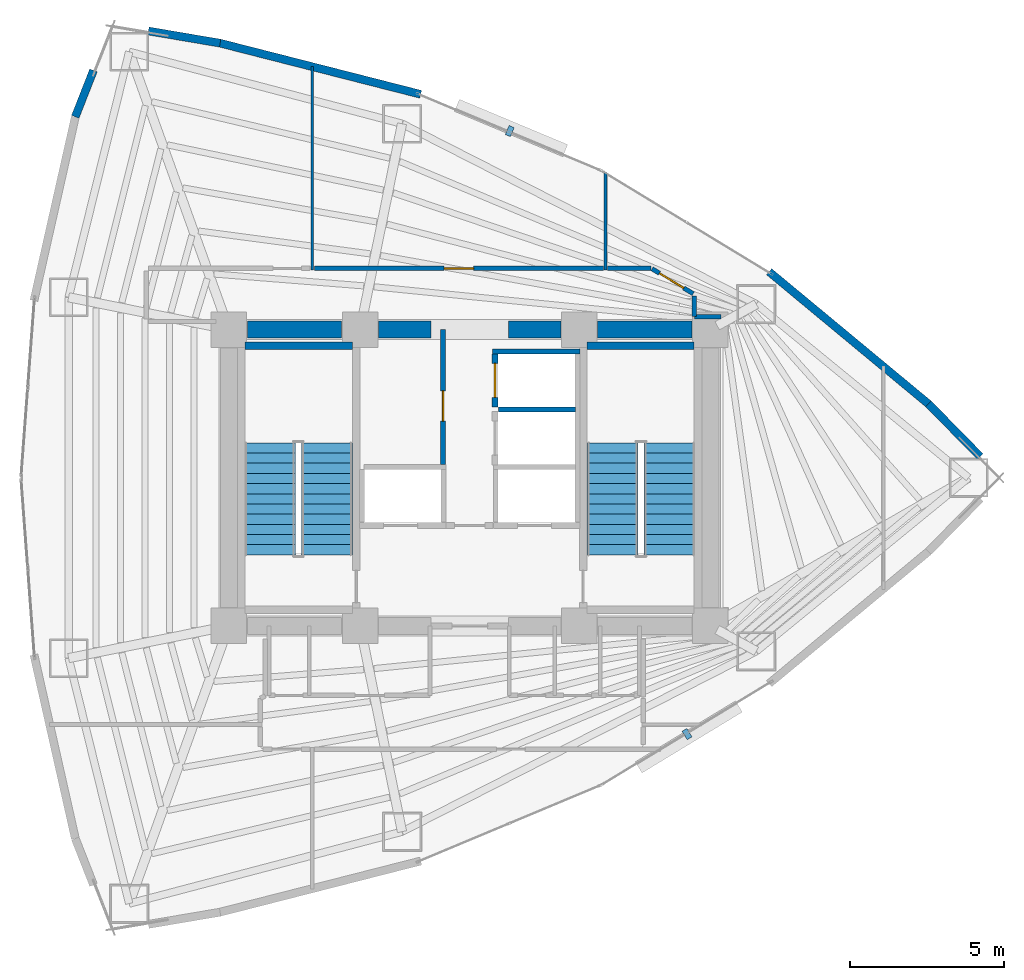
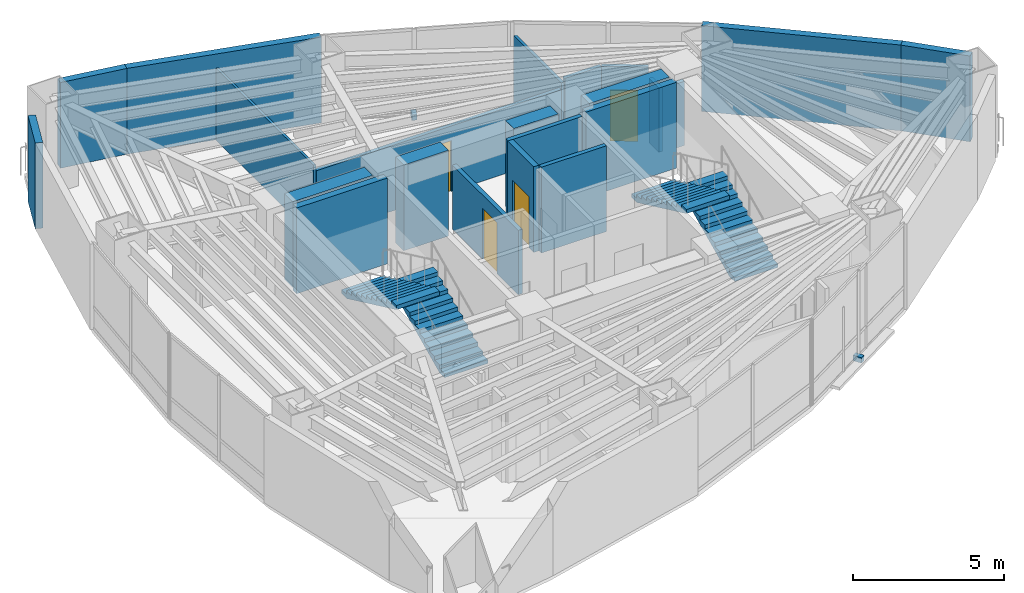
# One storey, part 16 of 18: 22 walls, 4 doors, 4 stair flights, 2 discrete accessories, 4 openings, 2 elements without a shape of their own.
"""IFC4 building model written with IfcOpenShell, lengths in metres."""

from ifc_helpers import new_model, si_unit, direction, frame, frame_2d, origin, origin_2d, place, context, subcontext, project, spatial, polyline, rectangle, outline, extrude, material, layer, layer_set, type_object, element, fill, aggregate, save


model = new_model("IFC4")

# Units and contexts
model_context = context("Model", 3, precision=1e-05, world=origin(), true_north=direction((0.0, 1.0)))
body_context = subcontext(model_context, "Body", "Model", "MODEL_VIEW")
ifc_project = project(units=[si_unit("LENGTHUNIT", "METRE"), si_unit("AREAUNIT", "SQUARE_METRE"), si_unit("VOLUMEUNIT", "CUBIC_METRE"), si_unit("PLANEANGLEUNIT", "RADIAN"), si_unit("MASSUNIT", "GRAM", prefix="KILO")], contexts=[model_context])

# Site, building, storey
site_placement = place(None, origin())
site = spatial("IfcSite", under=ifc_project, at=site_placement, CompositionType="ELEMENT")
building_placement = place(site_placement, origin())
building = spatial("IfcBuilding", under=site, at=building_placement, Name="Menara Vayukalpa", CompositionType="ELEMENT")
storey_placement = place(building_placement, frame((0.0, 0.0, 126.300048828125)))
storey = spatial("IfcBuildingStorey", under=building, at=storey_placement, Name="L31", CompositionType="ELEMENT", Elevation=126.300048828125)

# Walls
ifc_material_1 = material(Name="Concrete C60/75", Category="concrete")
ifc_layer_1 = layer(ifc_material_1, 0.550048828125)
ifc_layer_set_1 = layer_set([ifc_layer_1], Name="Concrete C60/75")
wall_type_1 = type_object("IfcWallType", Name="WAL-CW550", PredefinedType="SHEAR", material=ifc_layer_set_1)
wall_1_placement = place(storey_placement, frame((18.39501953125, 26.800048828125, 0.0), z_axis=(0.0, 0.0, 1.0), x_axis=(1.0, 0.0, 0.0)))
element("IfcWall", 1, at=wall_1_placement, inside=storey, type_object=wall_type_1, Name="L31 Buttressed Core Shear Wall CWN1", PredefinedType="SHEAR", context=body_context, shape_type="SweptSolid", body=[
    extrude(rectangle(XDim=3.06005859375, YDim=0.550048828125, at=frame_2d((1.530029296875, 0.0))), origin(), (0.0, 0.0, 1.0), 3.469970703125),
])
wall_2_placement = place(storey_placement, frame((22.64501953125, 26.800048828125, 0.0), z_axis=(0.0, 0.0, 1.0), x_axis=(1.0, 0.0, 0.0)))
element("IfcWall", 2, at=wall_2_placement, inside=storey, type_object=wall_type_1, Name="L31 Buttressed Core Shear Wall CWN2", PredefinedType="SHEAR", context=body_context, shape_type="SweptSolid", body=[
    extrude(rectangle(XDim=1.705078125, YDim=0.550048828125, at=frame_2d((0.8525390625, 0.0))), origin(), (0.0, 0.0, 1.0), 3.469970703125),
])
wall_3_placement = place(storey_placement, frame((26.85009765625, 26.800048828125, 0.0), z_axis=(0.0, 0.0, 1.0), x_axis=(1.0, 0.0, 0.0)))
element("IfcWall", 3, at=wall_3_placement, inside=storey, type_object=wall_type_1, Name="L31 Buttressed Core Shear Wall CWN3", PredefinedType="SHEAR", context=body_context, shape_type="SweptSolid", body=[
    extrude(rectangle(XDim=1.704833984375, YDim=0.550048828125, at=frame_2d((0.8525390625, 0.0))), origin(), (0.0, 0.0, 1.0), 3.469970703125),
])
wall_4_placement = place(storey_placement, frame((29.7451171875, 26.800048828125, 0.0), z_axis=(0.0, 0.0, 1.0), x_axis=(1.0, 0.0, 0.0)))
element("IfcWall", 4, at=wall_4_placement, inside=storey, type_object=wall_type_1, Name="L31 Buttressed Core Shear Wall CWN4", PredefinedType="SHEAR", context=body_context, shape_type="SweptSolid", body=[
    extrude(rectangle(XDim=3.059814453125, YDim=0.550048828125, at=frame_2d((1.52978515625, 0.0))), origin(), (0.0, 0.0, 1.0), 3.469970703125),
])
ifc_material_2 = material(Name="Insulated Precast Concrete C40/50", Category="concrete")
ifc_layer_2 = layer(ifc_material_2, 0.260009765625)
ifc_layer_set_2 = layer_set([ifc_layer_2], Name="Insulated Precast Concrete C40/50")
wall_type_2 = type_object("IfcWallType", Name="WAL-EXT260", PredefinedType="PARTITIONING", material=ifc_layer_set_2)
wall_5_placement = place(storey_placement, frame((40.46337890625, 24.39208984375, 0.0), z_axis=(0.0, 0.0, 1.0), x_axis=(0.700603293449, -0.713550996922, 0.0)))
element("IfcWall", 5, at=wall_5_placement, inside=storey, type_object=wall_type_2, Name="L31 Perimeter Terracotta Pier Wall 02", PredefinedType="PARTITIONING", context=body_context, shape_type="SweptSolid", body=[
    extrude(rectangle(XDim=2.394775390625, YDim=0.260009765625, at=frame_2d((1.197265625, 0.0))), origin(), (0.0, 0.0, 1.0), 3.469970703125),
])
wall_6_placement = place(storey_placement, frame((35.30126953125, 28.672119140625, 0.0), z_axis=(0.0, 0.0, 1.0), x_axis=(0.76975316947, -0.638341646841, 0.0)))
element("IfcWall", 6, at=wall_6_placement, inside=storey, type_object=wall_type_2, Name="L31 Perimeter Terracotta Pier Wall 03", PredefinedType="PARTITIONING", context=body_context, shape_type="SweptSolid", body=[
    extrude(rectangle(XDim=6.718017578125, YDim=0.260009765625, at=frame_2d((3.35888671875, 0.0))), origin(), (0.0, 0.0, 1.0), 3.469970703125),
])
wall_7_placement = place(storey_placement, frame((17.504638671875, 36.08056640625, 0.0), z_axis=(0.0, 0.0, 1.0), x_axis=(0.968981437296, -0.247133514876, 0.0)))
element("IfcWall", 7, at=wall_7_placement, inside=storey, type_object=wall_type_2, Name="L31 Perimeter Terracotta Pier Wall 06", PredefinedType="PARTITIONING", context=body_context, shape_type="SweptSolid", body=[
    extrude(rectangle(XDim=6.717529296875, YDim=0.260009765625, at=frame_2d((3.35888671875, 0.0))), origin(), (0.0, 0.0, 1.0), 3.469970703125),
])
wall_8_placement = place(storey_placement, frame((15.19287109375, 36.472412109375, 0.0), z_axis=(0.0, 0.0, 1.0), x_axis=(0.985905269947, -0.167304508875, 0.0)))
element("IfcWall", 8, at=wall_8_placement, inside=storey, type_object=wall_type_2, Name="L31 Perimeter Terracotta Pier Wall 07", PredefinedType="PARTITIONING", context=body_context, shape_type="SweptSolid", body=[
    extrude(rectangle(XDim=2.356689453125, YDim=0.260009765625, at=frame_2d((1.17822265625, 0.0))), origin(), (0.0, 0.0, 1.0), 3.469970703125),
])
wall_9_placement = place(storey_placement, frame((12.822021484375, 33.69140625, 0.0), z_axis=(0.0, 0.0, 1.0), x_axis=(0.365488551504, 0.930815835018, 0.0)))
element("IfcWall", 9, at=wall_9_placement, inside=storey, type_object=wall_type_2, Name="L31 Perimeter Terracotta Pier Wall 08", PredefinedType="PARTITIONING", context=body_context, shape_type="SweptSolid", body=[
    extrude(rectangle(XDim=1.61376953125, YDim=0.260009765625, at=frame_2d((0.806884765625, 0.0))), origin(), (0.0, 0.0, 1.0), 3.469970703125),
])
ifc_material_3 = material(Name="Lightweight Concrete Blockwork C16/20", Category="masonry")
ifc_layer_3 = layer(ifc_material_3, 0.159912109375)
ifc_layer_set_3 = layer_set([ifc_layer_3], Name="Lightweight Concrete Blockwork C16/20")
wall_type_3 = type_object("IfcWallType", Name="WAL-FR150", PredefinedType="PARTITIONING", material=ifc_layer_set_3)
wall_10_placement = place(storey_placement, frame((26.530029296875, 24.215087890625, 0.0), z_axis=(0.0, 0.0, 1.0), x_axis=(1.0, 0.0, 0.0)))
element("IfcWall", 10, at=wall_10_placement, inside=storey, type_object=wall_type_3, Name="L31 Interior Partition IW-L31-SHM-E32", PredefinedType="PARTITIONING", context=body_context, shape_type="SweptSolid", body=[
    extrude(rectangle(XDim=2.489990234375, YDim=0.159912109375, at=frame_2d((1.2451171875, 0.0))), origin(), (0.0, 0.0, 1.0), 3.469970703125),
])
wall_11_placement = place(storey_placement, frame((26.340087890625, 26.0849609375, 0.0), z_axis=(0.0, 0.0, 1.0), x_axis=(1.0, 0.0, 0.0)))
element("IfcWall", 11, at=wall_11_placement, inside=storey, type_object=wall_type_3, Name="L31 Interior Partition IW-L31-SHM-E2N", PredefinedType="PARTITIONING", context=body_context, shape_type="SweptSolid", body=[
    extrude(rectangle(XDim=2.829833984375, YDim=0.159912109375, at=frame_2d((1.4150390625, 0.0))), origin(), (0.0, 0.0, 1.0), 3.469970703125),
])

# Wall, opening, door
wall_12_placement = place(storey_placement, frame((24.739990234375, 22.429931640625, 0.0), z_axis=(0.0, 0.0, 1.0), x_axis=(0.0, 1.0, 0.0)))
wall_12 = element("IfcWall", 12, at=wall_12_placement, inside=storey, type_object=wall_type_3, Name="L31 Interior Partition IW-L31-LV7W", PredefinedType="PARTITIONING", context=body_context, shape_type="SweptSolid", body=[
    extrude(rectangle(XDim=4.3701171875, YDim=0.159912109375, at=frame_2d((2.18505859375, 0.0))), origin(), (0.0, 0.0, 1.0), 2.599853515625),
])
opening_1_placement = place(wall_12_placement, frame((1.39990234375, 0.0, 0.0)))
opening_1 = element("IfcOpeningElement", 13, at=opening_1_placement, cuts=wall_12, Name="Opening ID3", PredefinedType="OPENING", context=body_context, shape_type="SweptSolid", body=[
    extrude(rectangle(XDim=0.97998046875, YDim=2.06005859375, at=frame_2d((0.489990234375, 1.030029296875))), frame((0.0, 0.08984375, 0.0), z_axis=(0.0, -1.0, 0.0), x_axis=(1.0, 0.0, 0.0)), (0.0, 0.0, 1.0), 0.179931640625),
])
ifc_material_4 = material(Name="Fire-Rated Powder-Coated Steel Door", Category="steel")
door_type_1 = type_object("IfcDoorType", Name="DR-FD60", OperationType="NOTDEFINED", PredefinedType="DOOR", material=ifc_material_4)
door_1_placement = place(opening_1_placement, origin())
door_1 = element("IfcDoor", 14, at=door_1_placement, inside=storey, type_object=door_type_1, Name="L31 Interior Door DR-L31-LV7W", OperationType="SINGLE_SWING_LEFT", OverallHeight=2.06005859375, OverallWidth=0.97998046875, PredefinedType="DOOR", context=body_context, shape_type="SweptSolid", body=[
    extrude(rectangle(XDim=0.97998046875, YDim=2.06005859375, at=frame_2d((0.489990234375, 1.030029296875))), frame((0.0, 0.02490234375, 0.0), z_axis=(0.0, -1.0, 0.0), x_axis=(1.0, 0.0, 0.0)), (0.0, 0.0, 1.0), 0.050048828125),
])
fill(opening_1, door_1)

ifc_material_5 = material(Name="Lightweight Concrete Blockwork C16/20", Category="masonry")
ifc_layer_4 = layer(ifc_material_5, 0.199951171875)
ifc_layer_set_4 = layer_set([ifc_layer_4], Name="Lightweight Concrete Blockwork C16/20")
wall_type_4 = type_object("IfcWallType", Name="WAL-FR200", PredefinedType="PARTITIONING", material=ifc_layer_set_4)
wall_13_placement = place(storey_placement, frame((26.419921875, 24.2900390625, 0.0), z_axis=(0.0, 0.0, 1.0), x_axis=(0.0, 1.0, 0.0)))
wall_13 = element("IfcWall", 15, at=wall_13_placement, inside=storey, type_object=wall_type_4, Name="L31 Interior Partition IW-L31-SH-E2", PredefinedType="PARTITIONING", context=body_context, shape_type="SweptSolid", body=[
    extrude(rectangle(XDim=1.719970703125, YDim=0.199951171875, at=frame_2d((0.85986328125, 0.0))), origin(), (0.0, 0.0, 1.0), 3.469970703125),
])
opening_2_placement = place(wall_13_placement, frame((0.31005859375, 0.0, 0.0)))
opening_2 = element("IfcOpeningElement", 16, at=opening_2_placement, cuts=wall_13, Name="Opening LD1", PredefinedType="OPENING", context=body_context, shape_type="SweptSolid", body=[
    extrude(rectangle(XDim=1.10009765625, YDim=2.080078125, at=frame_2d((0.550048828125, 1.0400390625))), frame((0.0, 0.10986328125, 0.0), z_axis=(0.0, -1.0, 0.0), x_axis=(1.0, 0.0, 0.0)), (0.0, 0.0, 1.0), 0.219970703125),
])
ifc_material_6 = material(Name="Brushed Stainless Steel 316 Lift Door", Category="steel")
door_type_2 = type_object("IfcDoorType", Name="DR-LD110", OperationType="NOTDEFINED", PredefinedType="DOOR", material=ifc_material_6)
door_2_placement = place(opening_2_placement, origin())
door_2 = element("IfcDoor", 17, at=door_2_placement, inside=storey, type_object=door_type_2, Name="L31 Interior Door DR-L31-LD-E2", OperationType="DOUBLE_DOOR_SLIDING", OverallHeight=2.080078125, OverallWidth=1.10009765625, PredefinedType="DOOR", context=body_context, shape_type="SweptSolid", body=[
    extrude(rectangle(XDim=1.10009765625, YDim=2.080078125, at=frame_2d((0.550048828125, 1.0400390625))), frame((0.0, 0.02490234375, 0.0), z_axis=(0.0, -1.0, 0.0), x_axis=(1.0, 0.0, 0.0)), (0.0, 0.0, 1.0), 0.050048828125),
])
fill(opening_2, door_2)

# Walls
ifc_material_7 = material(Name="Glazed Demountable Office Partition", Category="glass")
ifc_layer_5 = layer(ifc_material_7, 0.094970703125)
ifc_layer_set_5 = layer_set([ifc_layer_5], Name="Glazed Demountable Office Partition")
wall_type_5 = type_object("IfcWallType", Name="WAL-PT100", PredefinedType="PARTITIONING", material=ifc_layer_set_5)
wall_14_placement = place(storey_placement, frame((20.5, 28.72998046875, 0.0), z_axis=(0.0, 0.0, 1.0), x_axis=(0.0, 1.0, 0.0)))
element("IfcWall", 18, at=wall_14_placement, inside=storey, type_object=wall_type_5, Name="L31 Interior Partition IW-L31-RDIV02", PredefinedType="PARTITIONING", context=body_context, shape_type="SweptSolid", body=[
    extrude(rectangle(XDim=6.596923828125, YDim=0.094970703125, at=frame_2d((3.29833984375, 0.0))), origin(), (0.0, 0.0, 1.0), 2.89990234375),
])
ifc_material_8 = material(Name="Acoustic Mineral Stud Partition", Category="masonry")
ifc_layer_6 = layer(ifc_material_8, 0.110107421875)
ifc_layer_set_6 = layer_set([ifc_layer_6], Name="Acoustic Mineral Stud Partition")
wall_type_6 = type_object("IfcWallType", Name="WAL-PT110", PredefinedType="PARTITIONING", material=ifc_layer_set_6)
wall_15_placement = place(storey_placement, frame((30.0, 28.72998046875, 0.0), z_axis=(0.0, 0.0, 1.0), x_axis=(0.0, 1.0, 0.0)))
element("IfcWall", 19, at=wall_15_placement, inside=storey, type_object=wall_type_6, Name="L31 Interior Partition IW-L31-RDIV03", PredefinedType="PARTITIONING", context=body_context, shape_type="SweptSolid", body=[
    extrude(rectangle(XDim=3.155517578125, YDim=0.110107421875, at=frame_2d((1.57763671875, 0.0))), origin(), (0.0, 0.0, 1.0), 2.89990234375),
])
ifc_material_9 = material(Name="Gypsum Drywall Acoustic Stud Assembly", Category="masonry")
ifc_layer_7 = layer(ifc_material_9, 0.14501953125)
ifc_layer_set_7 = layer_set([ifc_layer_7], Name="Gypsum Drywall Acoustic Stud Assembly")
wall_type_7 = type_object("IfcWallType", Name="WAL-PT150", PredefinedType="PARTITIONING", material=ifc_layer_set_7)
wall_16_placement = place(storey_placement, frame((33.739990234375, 27.219970703125, 0.0), z_axis=(0.0, 0.0, 1.0), x_axis=(-1.0, 0.0, 0.0)))
element("IfcWall", 20, at=wall_16_placement, inside=storey, type_object=wall_type_7, Name="L31 Interior Partition IW-L31-CRM04-3", PredefinedType="PARTITIONING", context=body_context, shape_type="SweptSolid", body=[
    extrude(rectangle(XDim=0.860107421875, YDim=0.14501953125, at=frame_2d((0.43017578125, 0.0))), origin(), (0.0, 0.0, 1.0), 2.599853515625),
])
wall_17_placement = place(storey_placement, frame((32.8798828125, 27.219970703125, 0.0), z_axis=(0.0, 0.0, 1.0), x_axis=(0.0, 1.0, 0.0)))
element("IfcWall", 21, at=wall_17_placement, inside=storey, type_object=wall_type_7, Name="L31 Interior Partition IW-L31-CRM04-4", PredefinedType="PARTITIONING", context=body_context, shape_type="SweptSolid", body=[
    extrude(rectangle(XDim=0.671142578125, YDim=0.14501953125, at=frame_2d((0.33544921875, 0.0))), origin(), (0.0, 0.0, 1.0), 2.599853515625),
])

# Wall, opening, door
wall_18_placement = place(storey_placement, frame((32.841552734375, 27.959716796875, 0.0), z_axis=(0.0, 0.0, 1.0), x_axis=(-0.854742818792, 0.519051744745, 0.0)))
wall_18 = element("IfcWall", 22, at=wall_18_placement, inside=storey, type_object=wall_type_7, Name="L31 Interior Partition IW-L31-CRM04-5", PredefinedType="PARTITIONING", context=body_context, shape_type="SweptSolid", body=[
    extrude(rectangle(XDim=1.557861328125, YDim=0.14501953125, at=frame_2d((0.77880859375, 0.0))), origin(), (0.0, 0.0, 1.0), 3.050048828125),
])
opening_3_placement = place(wall_18_placement, frame((0.35791015625, 0.0, 0.0)))
opening_3 = element("IfcOpeningElement", 23, at=opening_3_placement, cuts=wall_18, Name="Opening ID6", PredefinedType="OPENING", context=body_context, shape_type="SweptSolid", body=[
    extrude(rectangle(XDim=0.919921875, YDim=2.050048828125, at=frame_2d((0.4599609375, 1.02490234375))), frame((0.0, 0.08251953125, 0.0), z_axis=(0.0, -1.0, 0.0), x_axis=(1.0, 0.0, 0.0)), (0.0, 0.0, 1.0), 0.1650390625),
])
ifc_material_10 = material(Name="Acoustic Hardwood Veneer Timber Door", Category="wood")
door_type_3 = type_object("IfcDoorType", Name="DR-INT92", OperationType="NOTDEFINED", PredefinedType="DOOR", material=ifc_material_10)
door_3_placement = place(opening_3_placement, origin())
door_3 = element("IfcDoor", 24, at=door_3_placement, inside=storey, type_object=door_type_3, Name="L31 Interior Door DR-L31-RM04", OperationType="SINGLE_SWING_LEFT", OverallHeight=2.050048828125, OverallWidth=0.919921875, PredefinedType="DOOR", context=body_context, shape_type="SweptSolid", body=[
    extrude(rectangle(XDim=0.919921875, YDim=2.050048828125, at=frame_2d((0.4599609375, 1.02490234375))), frame((0.0, 0.02490234375, 0.0), z_axis=(0.0, -1.0, 0.0), x_axis=(1.0, 0.0, 0.0)), (0.0, 0.0, 1.0), 0.050048828125),
])
fill(opening_3, door_3)

# Wall
wall_19_placement = place(storey_placement, frame((31.468505859375, 28.780029296875, 0.0), z_axis=(0.0, 0.0, 1.0), x_axis=(-1.0, 0.0, 0.0)))
element("IfcWall", 25, at=wall_19_placement, inside=storey, type_object=wall_type_7, Name="L31 Interior Partition IW-L31-CRM04-6", PredefinedType="PARTITIONING", context=body_context, shape_type="SweptSolid", body=[
    extrude(rectangle(XDim=1.3984375, YDim=0.14501953125, at=frame_2d((0.69921875, 0.0))), origin(), (0.0, 0.0, 1.0), 3.050048828125),
])

# Wall, opening, door
wall_20_placement = place(storey_placement, frame((29.929931640625, 28.780029296875, 0.0), z_axis=(0.0, 0.0, 1.0), x_axis=(-1.0, 0.0, 0.0)))
wall_20 = element("IfcWall", 26, at=wall_20_placement, inside=storey, type_object=wall_type_7, Name="L31 Interior Partition IW-L31-CRM05-1", PredefinedType="PARTITIONING", context=body_context, shape_type="SweptSolid", body=[
    extrude(rectangle(XDim=9.35986328125, YDim=0.14501953125, at=frame_2d((4.679931640625, 0.0))), origin(), (0.0, 0.0, 1.0), 2.64990234375),
])
opening_4_placement = place(wall_20_placement, frame((4.205078125, 0.0, 0.0)))
opening_4 = element("IfcOpeningElement", 27, at=opening_4_placement, cuts=wall_20, Name="Opening ID5", PredefinedType="OPENING", context=body_context, shape_type="SweptSolid", body=[
    extrude(rectangle(XDim=0.949951171875, YDim=2.06005859375, at=frame_2d((0.47509765625, 1.030029296875))), frame((0.0, 0.08251953125, 0.0), z_axis=(0.0, -1.0, 0.0), x_axis=(1.0, 0.0, 0.0)), (0.0, 0.0, 1.0), 0.1650390625),
])
ifc_material_11 = material(Name="Acoustic Hardwood Veneer Timber Door", Category="wood")
door_type_4 = type_object("IfcDoorType", Name="DR-INT95", OperationType="NOTDEFINED", PredefinedType="DOOR", material=ifc_material_11)
door_4_placement = place(opening_4_placement, origin())
door_4 = element("IfcDoor", 28, at=door_4_placement, inside=storey, type_object=door_type_4, Name="L31 Interior Door DR-L31-RM05", OperationType="SINGLE_SWING_RIGHT", OverallHeight=2.06005859375, OverallWidth=0.949951171875, PredefinedType="DOOR", context=body_context, shape_type="SweptSolid", body=[
    extrude(rectangle(XDim=0.949951171875, YDim=2.06005859375, at=frame_2d((0.47509765625, 1.030029296875))), frame((0.0, 0.02490234375, 0.0), z_axis=(0.0, -1.0, 0.0), x_axis=(1.0, 0.0, 0.0)), (0.0, 0.0, 1.0), 0.050048828125),
])
fill(opening_4, door_4)

# Walls
ifc_material_12 = material(Name="Concrete C50/60", Category="concrete")
ifc_layer_8 = layer(ifc_material_12, 0.25)
ifc_layer_set_8 = layer_set([ifc_layer_8], Name="Concrete C50/60")
wall_type_8 = type_object("IfcWallType", Name="WAL-SW250", PredefinedType="SHEAR", material=ifc_layer_set_8)
wall_21_placement = place(storey_placement, frame((18.3291015625, 26.27490234375, 0.0), z_axis=(0.0, 0.0, 1.0), x_axis=(1.0, 0.0, 0.0)))
element("IfcWall", 29, at=wall_21_placement, inside=storey, type_object=wall_type_8, Name="L31 ST1 Structural Stair Shaft Wall N", PredefinedType="SHEAR", context=body_context, shape_type="SweptSolid", body=[
    extrude(rectangle(XDim=3.470947265625, YDim=0.25, at=frame_2d((1.7353515625, 0.0))), origin(), (0.0, 0.0, 1.0), 3.469970703125),
])
wall_22_placement = place(storey_placement, frame((29.39990234375, 26.27490234375, 0.0), z_axis=(0.0, 0.0, 1.0), x_axis=(1.0, 0.0, 0.0)))
element("IfcWall", 30, at=wall_22_placement, inside=storey, type_object=wall_type_8, Name="L31 ST2 Structural Stair Shaft Wall N", PredefinedType="SHEAR", context=body_context, shape_type="SweptSolid", body=[
    extrude(rectangle(XDim=3.47119140625, YDim=0.25, at=frame_2d((1.735595703125, 0.0))), origin(), (0.0, 0.0, 1.0), 3.469970703125),
])

# Stair, stair flights
ifc_material_13 = material(Name="Precast Concrete C40/50", Category="concrete")
stair_type = type_object("IfcStairType", Name="STR-T04", PredefinedType="DOUBLE_RETURN_STAIR", material=ifc_material_13)
stair_1_placement = place(storey_placement, origin())
stair_1 = element("IfcStair", 31, at=stair_1_placement, inside=storey, type_object=stair_type, Name="L31 Core Exit Stair ST-1", PredefinedType="DOUBLE_RETURN_STAIR")
ifc_material_14 = material(Name="Precast Concrete C40/50", Category="concrete")
stair_flight_type = type_object("IfcStairFlightType", Name="STF-T04", PredefinedType="STRAIGHT", material=ifc_material_14)
stair_flight_1_placement = place(storey_placement, frame((20.97509765625, 19.5, 0.0), z_axis=(0.0, 0.0, 1.0), x_axis=(0.0, 1.0, 0.0)))
stair_flight_1 = element("IfcStairFlight", 32, at=stair_flight_1_placement, type_object=stair_flight_type, Name="ST-1 flight 1", NumberOfRisers=12, NumberOfTreads=11, PredefinedType="STRAIGHT", RiserHeight=0.155, TreadLength=0.33, context=body_context, shape_type="SweptSolid", body=[
    extrude(outline(polyline([(0.0, 0.0), (0.0, 0.155029296875), (0.330078125, 0.155029296875), (0.330078125, 0.31005859375), (0.659912109375, 0.31005859375), (0.659912109375, 0.465087890625), (0.989990234375, 0.465087890625), (0.989990234375, 0.6201171875), (1.320068359375, 0.6201171875), (1.320068359375, 0.77490234375), (1.64990234375, 0.77490234375), (1.64990234375, 0.929931640625), (1.97998046875, 0.929931640625), (1.97998046875, 1.0849609375), (2.31005859375, 1.0849609375), (2.31005859375, 1.239990234375), (2.639892578125, 1.239990234375), (2.639892578125, 1.39501953125), (2.969970703125, 1.39501953125), (2.969970703125, 1.550048828125), (3.300048828125, 1.550048828125), (3.300048828125, 1.705078125), (3.6298828125, 1.705078125), (3.6298828125, 1.860107421875), (3.6298828125, 1.539306640625), (0.3525390625, 0.0), (0.0, 0.0)])), frame((0.0, 0.824951171875, 0.0), z_axis=(0.0, -1.0, 0.0), x_axis=(1.0, 0.0, 0.0)), (0.0, 0.0, 1.0), 1.64990234375),
])
stair_flight_2_placement = place(storey_placement, frame((19.125, 23.1298828125, 1.85986328125), z_axis=(0.0, 0.0, 1.0), x_axis=(0.0, -1.0, 0.0)))
stair_flight_2 = element("IfcStairFlight", 33, at=stair_flight_2_placement, type_object=stair_flight_type, Name="ST-1 flight 2", NumberOfRisers=12, NumberOfTreads=11, PredefinedType="STRAIGHT", RiserHeight=0.155, TreadLength=0.33, context=body_context, shape_type="SweptSolid", body=[
    extrude(outline(polyline([(0.0, 0.0), (0.0, 0.155029296875), (0.330078125, 0.155029296875), (0.330078125, 0.31005859375), (0.659912109375, 0.31005859375), (0.659912109375, 0.465087890625), (0.989990234375, 0.465087890625), (0.989990234375, 0.6201171875), (1.320068359375, 0.6201171875), (1.320068359375, 0.77490234375), (1.64990234375, 0.77490234375), (1.64990234375, 0.929931640625), (1.97998046875, 0.929931640625), (1.97998046875, 1.0849609375), (2.31005859375, 1.0849609375), (2.31005859375, 1.239990234375), (2.639892578125, 1.239990234375), (2.639892578125, 1.39501953125), (2.969970703125, 1.39501953125), (2.969970703125, 1.550048828125), (3.300048828125, 1.550048828125), (3.300048828125, 1.705078125), (3.6298828125, 1.705078125), (3.6298828125, 1.860107421875), (3.6298828125, 1.539306640625), (0.3525390625, 0.0), (0.0, 0.0)])), frame((0.0, 0.824951171875, 0.0), z_axis=(0.0, -1.0, 0.0), x_axis=(1.0, 0.0, 0.0)), (0.0, 0.0, 1.0), 1.64990234375),
])
aggregate(stair_1, [stair_flight_1, stair_flight_2])

stair_2_placement = place(storey_placement, origin())
stair_2 = element("IfcStair", 34, at=stair_2_placement, inside=storey, type_object=stair_type, Name="L31 Core Exit Stair ST-2", PredefinedType="DOUBLE_RETURN_STAIR")
stair_flight_3_placement = place(storey_placement, frame((32.074951171875, 19.5, 0.0), z_axis=(0.0, 0.0, 1.0), x_axis=(0.0, 1.0, 0.0)))
stair_flight_3 = element("IfcStairFlight", 35, at=stair_flight_3_placement, type_object=stair_flight_type, Name="ST-2 flight 1", NumberOfRisers=12, NumberOfTreads=11, PredefinedType="STRAIGHT", RiserHeight=0.155, TreadLength=0.33, context=body_context, shape_type="SweptSolid", body=[
    extrude(outline(polyline([(0.0, 0.0), (0.0, 0.155029296875), (0.330078125, 0.155029296875), (0.330078125, 0.31005859375), (0.659912109375, 0.31005859375), (0.659912109375, 0.465087890625), (0.989990234375, 0.465087890625), (0.989990234375, 0.6201171875), (1.320068359375, 0.6201171875), (1.320068359375, 0.77490234375), (1.64990234375, 0.77490234375), (1.64990234375, 0.929931640625), (1.97998046875, 0.929931640625), (1.97998046875, 1.0849609375), (2.31005859375, 1.0849609375), (2.31005859375, 1.239990234375), (2.639892578125, 1.239990234375), (2.639892578125, 1.39501953125), (2.969970703125, 1.39501953125), (2.969970703125, 1.550048828125), (3.300048828125, 1.550048828125), (3.300048828125, 1.705078125), (3.6298828125, 1.705078125), (3.6298828125, 1.860107421875), (3.6298828125, 1.539306640625), (0.3525390625, 0.0), (0.0, 0.0)])), frame((0.0, 0.824951171875, 0.0), z_axis=(0.0, -1.0, 0.0), x_axis=(1.0, 0.0, 0.0)), (0.0, 0.0, 1.0), 1.64990234375),
])
stair_flight_4_placement = place(storey_placement, frame((30.22509765625, 23.1298828125, 1.85986328125), z_axis=(0.0, 0.0, 1.0), x_axis=(0.0, -1.0, 0.0)))
stair_flight_4 = element("IfcStairFlight", 36, at=stair_flight_4_placement, type_object=stair_flight_type, Name="ST-2 flight 2", NumberOfRisers=12, NumberOfTreads=11, PredefinedType="STRAIGHT", RiserHeight=0.155, TreadLength=0.33, context=body_context, shape_type="SweptSolid", body=[
    extrude(outline(polyline([(0.0, 0.0), (0.0, 0.155029296875), (0.330078125, 0.155029296875), (0.330078125, 0.31005859375), (0.659912109375, 0.31005859375), (0.659912109375, 0.465087890625), (0.989990234375, 0.465087890625), (0.989990234375, 0.6201171875), (1.320068359375, 0.6201171875), (1.320068359375, 0.77490234375), (1.64990234375, 0.77490234375), (1.64990234375, 0.929931640625), (1.97998046875, 0.929931640625), (1.97998046875, 1.0849609375), (2.31005859375, 1.0849609375), (2.31005859375, 1.239990234375), (2.639892578125, 1.239990234375), (2.639892578125, 1.39501953125), (2.969970703125, 1.39501953125), (2.969970703125, 1.550048828125), (3.300048828125, 1.550048828125), (3.300048828125, 1.705078125), (3.6298828125, 1.705078125), (3.6298828125, 1.860107421875), (3.6298828125, 1.539306640625), (0.3525390625, 0.0), (0.0, 0.0)])), frame((0.0, 0.824951171875, 0.0), z_axis=(0.0, -1.0, 0.0), x_axis=(1.0, 0.0, 0.0)), (0.0, 0.0, 1.0), 1.64990234375),
])
aggregate(stair_2, [stair_flight_3, stair_flight_4])

# Discrete accessories
ifc_material_15 = material(Name="Stainless Steel 316 Sunshade Bracket", Category="steel")
discrete_accessory_type = type_object("IfcDiscreteAccessoryType", Name="ACC-BRK1", PredefinedType="BRACKET", material=ifc_material_15)
for number, where, z_axis, x_axis, name in (
    (37, (26.898193359375, 33.22900390625, -0.16015625), (0.0, 0.0, 1.0), (-0.922544824647, 0.385889940938, 0.0), "L31 Terracotta Sunshade Bracket 05"),
    (38, (32.6416015625, 13.69580078125, -0.16015625), (0.0, 0.0, 1.0), (0.85466730962, 0.519176068272, 0.0), "L31 Terracotta Sunshade Bracket 17"),
):
    element("IfcDiscreteAccessory", number, at=place(storey_placement, frame(where, z_axis=z_axis, x_axis=x_axis)), inside=storey, type_object=discrete_accessory_type, Name=name, PredefinedType="BRACKET", context=body_context, shape_type="SweptSolid", body=[
        extrude(rectangle(XDim=0.179931640625, YDim=0.320068359375, at=origin_2d()), origin(), (0.0, 0.0, 1.0), 0.219970703125),
    ])

save(model, "model.ifc")
